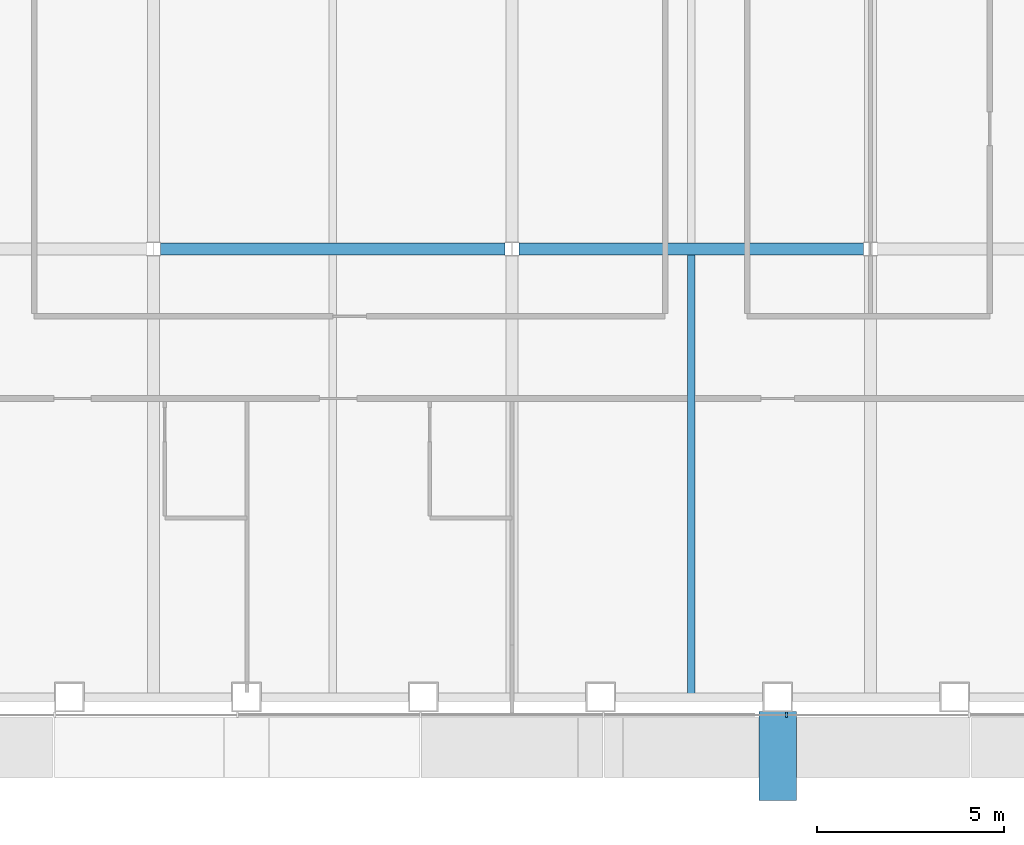
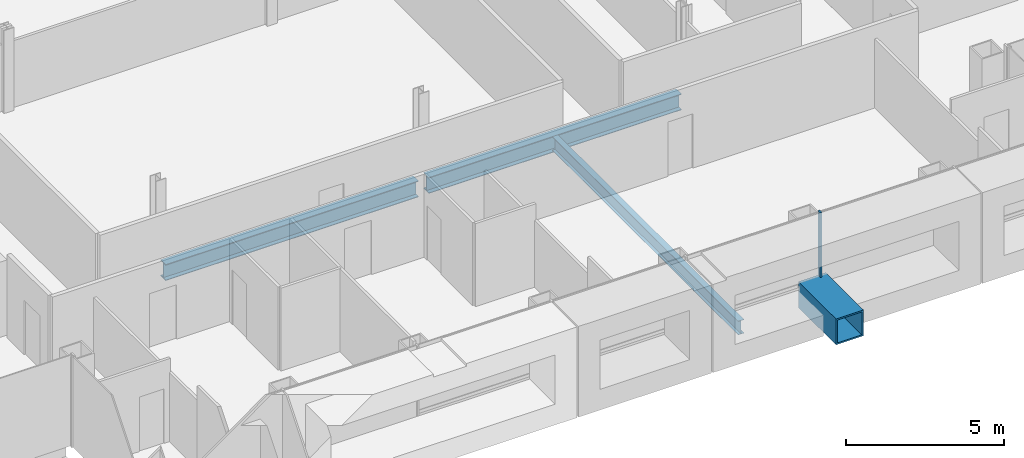
# One storey, part 4 of 21: 4 beams, 1 member, 1 element without a shape of its own.
"""IFC4 building model written with IfcOpenShell, lengths in metres."""

from ifc_helpers import new_model, si_unit, direction, frame, origin, origin_2d, place, context, subcontext, project, spatial, rectangle, hollow_rectangle, i_section, extrude, material, material_profile, profile_set, type_object, element, aggregate, save


model = new_model("IFC4")

# Units and contexts
model_context = context("Model", 3, precision=1e-05, world=origin(), true_north=direction((0.0, 1.0)))
body_context = subcontext(model_context, "Body", "Model", "MODEL_VIEW")
ifc_project = project(units=[si_unit("LENGTHUNIT", "METRE"), si_unit("AREAUNIT", "SQUARE_METRE"), si_unit("VOLUMEUNIT", "CUBIC_METRE"), si_unit("PLANEANGLEUNIT", "RADIAN"), si_unit("MASSUNIT", "GRAM", prefix="KILO")], contexts=[model_context])

# Site, building, storey
site_placement = place(None, origin())
site = spatial("IfcSite", under=ifc_project, at=site_placement, CompositionType="ELEMENT")
building_placement = place(site_placement, origin())
building = spatial("IfcBuilding", under=site, at=building_placement, Name="Cobrizo Arcos Hotel Tower", CompositionType="ELEMENT")
storey_placement = place(building_placement, frame((0.0, 0.0, 183.0)))
storey = spatial("IfcBuildingStorey", under=building, at=storey_placement, Name="L47", CompositionType="ELEMENT", Elevation=183.0)

# Beam
ifc_material_1 = material(Name="Steel ASTM A572 Grade 50", Category="steel")
ifc_material_profile_1 = material_profile(ifc_material_1, hollow_rectangle(XDim=1.0, YDim=1.0, WallThickness=0.06005859375, at=origin_2d()), Name="BOX 1000X1000X60")
ifc_profile_set_1 = profile_set([ifc_material_profile_1], Name="Steel ASTM A572 Grade 50")
beam_type_1 = type_object("IfcBeamType", Name="BOX 1000X1000X60 brace connector strut", PredefinedType="BEAM", material=ifc_profile_set_1)
beam_1_placement = place(storey_placement, frame((7.1142578125, -21.989990234375, 0.5), z_axis=(0.0, -1.0, 0.0), x_axis=(1.0, 0.0, 0.0)))
element("IfcBeam", 1, at=beam_1_placement, inside=storey, type_object=beam_type_1, Name="Perimeter brace stub BS1, zone Z3, south face, offset +7.11 m, L47", PredefinedType="BEAM", context=body_context, shape_type="SweptSolid", body=[
    extrude(hollow_rectangle(XDim=1.0, YDim=1.0, WallThickness=0.06005859375, at=origin_2d()), origin(), (0.0, 0.0, 1.0), 2.380126953125),
])

# Curtain wall, member
ifc_material_2 = material(Name="Aluminium 6063-T6 anodised bronze", Category="aluminium")
curtain_wall_type = type_object("IfcCurtainWallType", Name="CW-A guest facade", PredefinedType="NOTDEFINED", material=ifc_material_2)
curtain_wall_placement = place(storey_placement, origin())
curtain_wall = element("IfcCurtainWall", 2, at=curtain_wall_placement, inside=storey, type_object=curtain_wall_type, Name="CW-A L47 S face", PredefinedType="NOTDEFINED")
ifc_material_profile_2 = material_profile(ifc_material_2, rectangle(XDim=0.14990234375, YDim=0.06005859375, at=origin_2d()), Name="CW-A mullion 150x60")
ifc_profile_set_2 = profile_set([ifc_material_profile_2], Name="Aluminium 6063-T6 anodised bronze")
member_type = type_object("IfcMemberType", Name="CW-A mullion 150x60", PredefinedType="MULLION", material=ifc_profile_set_2)
member_placement = place(storey_placement, frame((7.35009765625, -22.074951171875, 0.0), z_axis=(0.0, 0.0, 1.0), x_axis=(0.0, -1.0, 0.0)))
member = element("IfcMember", 3, at=member_placement, type_object=member_type, Name="CW-A mullion 6", PredefinedType="MULLION", context=body_context, shape_type="SweptSolid", body=[
    extrude(rectangle(XDim=0.14990234375, YDim=0.06005859375, at=origin_2d()), origin(), (0.0, 0.0, 1.0), 3.5),
])
aggregate(curtain_wall, [member])

# Beams
ifc_material_3 = material(Name="Steel ASTM A992 Grade 50", Category="steel")
ifc_material_profile_3 = material_profile(ifc_material_3, i_section(OverallWidth=0.209228515625, OverallDepth=0.533447265625, WebThickness=0.01025390625, FlangeThickness=0.015625, at=origin_2d()), Name="W21X62")
ifc_profile_set_3 = profile_set([ifc_material_profile_3], Name="Steel ASTM A992 Grade 50")
beam_type_2 = type_object("IfcBeamType", Name="W21X62 joist", PredefinedType="JOIST", material=ifc_profile_set_3)
beam_2_placement = place(storey_placement, frame((4.800048828125, -21.510009765625, -0.416748046875), z_axis=(0.0, 1.0, 0.0), x_axis=(-1.0, 0.0, 0.0)))
element("IfcBeam", 4, at=beam_2_placement, inside=storey, type_object=beam_type_2, Name="Floor joist J1, L47, no. 011", PredefinedType="JOIST", context=body_context, shape_type="SweptSolid", body=[
    extrude(i_section(OverallWidth=0.209228515625, OverallDepth=0.533447265625, WebThickness=0.01025390625, FlangeThickness=0.015625, at=origin_2d()), origin(), (0.0, 0.0, 1.0), 11.74609375),
])
ifc_material_profile_4 = material_profile(ifc_material_3, i_section(OverallWidth=0.32763671875, OverallDepth=0.622314453125, WebThickness=0.015380859375, FlangeThickness=0.0244140625, at=origin_2d()), Name="W24X131")
ifc_profile_set_4 = profile_set([ifc_material_profile_4], Name="Steel ASTM A992 Grade 50")
beam_type_3 = type_object("IfcBeamType", Name="W24X131 girder", PredefinedType="BEAM", material=ifc_profile_set_4)
for number, where, z_axis, x_axis, name in (
    (5, (-9.413330078125, -9.60009765625, -0.461181640625), (1.0, 0.0, 0.0), (0.0, 1.0, 0.0), "Floor girder G1, L47, no. 002"),
    (6, (0.186767578125, -9.60009765625, -0.461181640625), (1.0, 0.0, 0.0), (0.0, 1.0, 0.0), "Floor girder G1, L47, no. 003"),
):
    element("IfcBeam", number, at=place(storey_placement, frame(where, z_axis=z_axis, x_axis=x_axis)), inside=storey, type_object=beam_type_3, Name=name, PredefinedType="BEAM", context=body_context, shape_type="SweptSolid", body=[
        extrude(i_section(OverallWidth=0.32763671875, OverallDepth=0.622314453125, WebThickness=0.015380859375, FlangeThickness=0.0244140625, at=origin_2d()), origin(), (0.0, 0.0, 1.0), 9.2265625),
    ])

save(model, "model.ifc")
